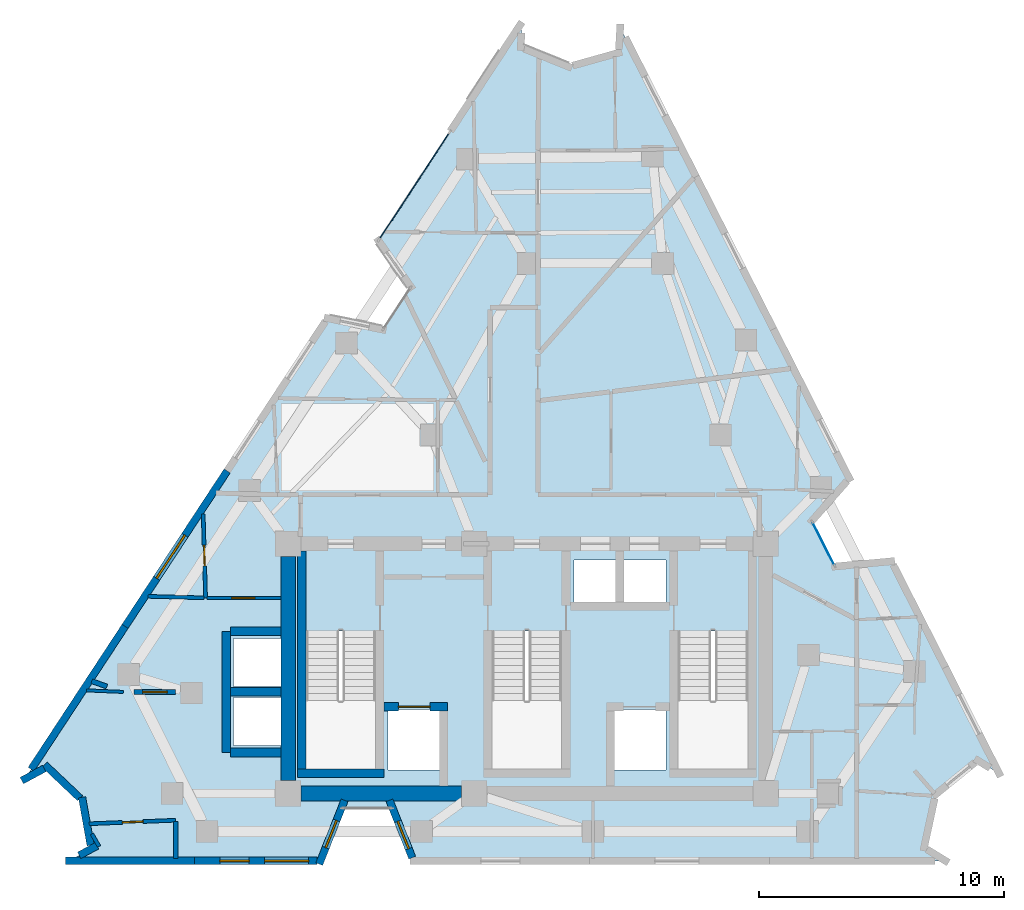
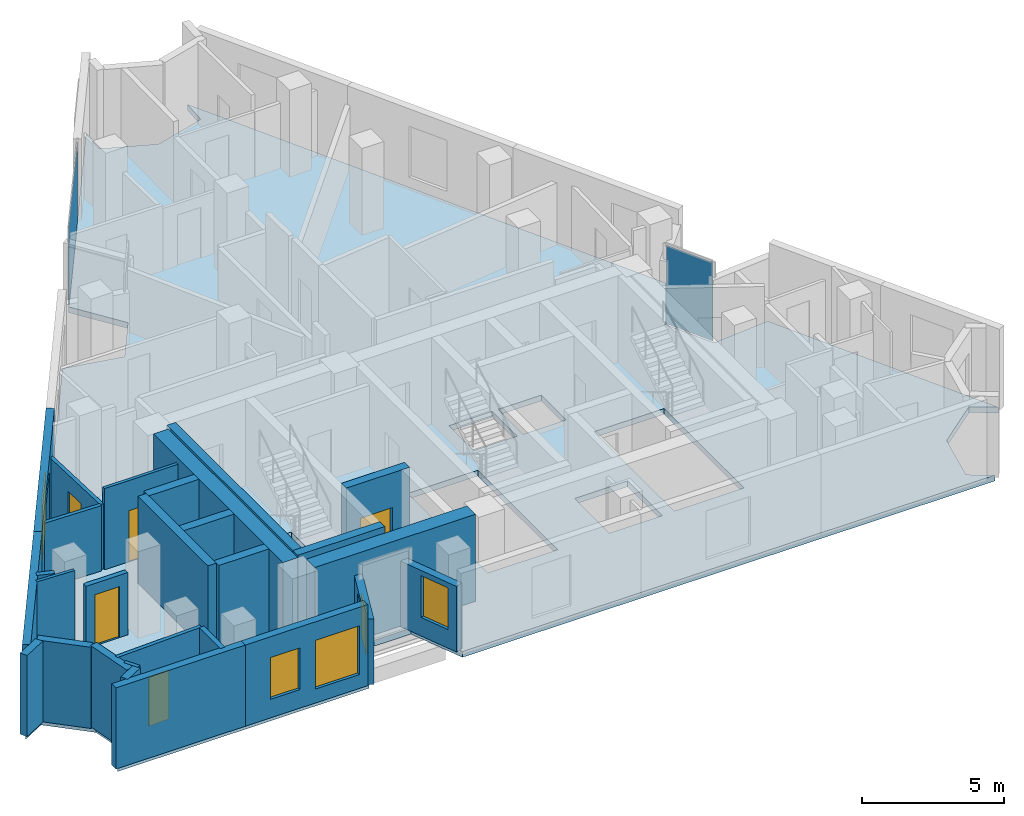
# One storey, part 5 of 10: 28 walls, 5 doors, 5 windows, 2 plates, 1 slab, 10 openings, 2 elements without a shape of their own.
"""IFC4 building model written with IfcOpenShell, lengths in metres."""

from ifc_helpers import new_model, si_unit, direction, frame, frame_2d, origin, origin_2d, place, context, subcontext, project, spatial, polyline, rectangle, outline, extrude, material, layer, layer_set, type_object, element, fill, aggregate, save


model = new_model("IFC4")

# Units and contexts
model_context = context("Model", 3, precision=1e-05, world=origin(), true_north=direction((0.0, 1.0)))
body_context = subcontext(model_context, "Body", "Model", "MODEL_VIEW")
ifc_project = project(units=[si_unit("LENGTHUNIT", "METRE"), si_unit("AREAUNIT", "SQUARE_METRE"), si_unit("VOLUMEUNIT", "CUBIC_METRE"), si_unit("PLANEANGLEUNIT", "RADIAN"), si_unit("MASSUNIT", "GRAM", prefix="KILO")], contexts=[model_context])

# Site, building, storey
site_placement = place(None, origin())
site = spatial("IfcSite", under=ifc_project, at=site_placement, CompositionType="ELEMENT")
building_placement = place(site_placement, origin())
building = spatial("IfcBuilding", under=site, at=building_placement, Name="Almagre Mirador Tower", CompositionType="ELEMENT")
storey_placement = place(building_placement, frame((0.0, 0.0, 233.25)))
storey = spatial("IfcBuildingStorey", under=building, at=storey_placement, Name="L60", CompositionType="ELEMENT", Elevation=233.25)

# Curtain wall, plate
ifc_material_1 = material(Name="Black anodized aluminium", Category="aluminium")
ifc_layer_1 = layer(ifc_material_1, 0.169921875)
ifc_layer_set_1 = layer_set([ifc_layer_1], Name="Black anodized aluminium")
curtain_wall_type_1 = type_object("IfcCurtainWallType", Name="CW-CRS-SYS", PredefinedType="NOTDEFINED", material=ifc_layer_set_1)
curtain_wall_1_placement = place(storey_placement, origin())
curtain_wall_1 = element("IfcCurtainWall", 1, at=curtain_wall_1_placement, inside=storey, type_object=curtain_wall_type_1, Name="L60 vertical crease curtain wall 03", PredefinedType="NOTDEFINED")
ifc_material_2 = material(Name="Dark solar-control laminated hurricane glass", Category="glass")
ifc_layer_2 = layer(ifc_material_2, 0.028076171875)
ifc_layer_set_2 = layer_set([ifc_layer_2], Name="Dark solar-control laminated hurricane glass")
plate_type_1 = type_object("IfcPlateType", Name="PLT-GLZ-28", PredefinedType="CURTAIN_PANEL", material=ifc_layer_set_2)
plate_1_placement = place(storey_placement, frame((49.409423828125, 14.75146484375, 0.06005859375), z_axis=(0.0, 0.0, 1.0), x_axis=(0.453137124227, -0.891440826217, 0.0)))
plate_1 = element("IfcPlate", 2, at=plate_1_placement, type_object=plate_type_1, Name="CW-4 panel 1.1", PredefinedType="CURTAIN_PANEL", context=body_context, shape_type="SweptSolid", body=[
    extrude(rectangle(XDim=1.969970703125, YDim=0.028076171875, at=origin_2d()), origin(), (0.0, 0.0, 1.0), 3.3798828125),
])
aggregate(curtain_wall_1, [plate_1])

ifc_material_3 = material(Name="Black anodized aluminium", Category="aluminium")
ifc_layer_3 = layer(ifc_material_3, 0.199951171875)
ifc_layer_set_3 = layer_set([ifc_layer_3], Name="Black anodized aluminium")
curtain_wall_type_2 = type_object("IfcCurtainWallType", Name="CW-RES-H-SYS", PredefinedType="NOTDEFINED", material=ifc_layer_set_3)
curtain_wall_2_placement = place(storey_placement, origin())
curtain_wall_2 = element("IfcCurtainWall", 3, at=curtain_wall_2_placement, inside=storey, type_object=curtain_wall_type_2, Name="L60 curtain wall run 02", PredefinedType="NOTDEFINED")
ifc_material_4 = material(Name="Dark solar-control laminated hurricane glass", Category="glass")
ifc_layer_4 = layer(ifc_material_4, 0.035888671875)
ifc_layer_set_4 = layer_set([ifc_layer_4], Name="Dark solar-control laminated hurricane glass")
plate_type_2 = type_object("IfcPlateType", Name="PLT-GLZ-36", PredefinedType="CURTAIN_PANEL", material=ifc_layer_set_4)
plate_2_placement = place(storey_placement, frame((32.70751953125, 29.36474609375, 0.06494140625), z_axis=(0.0, 0.0, 1.0), x_axis=(0.549067608552, 0.835777937756, 0.0)))
plate_2 = element("IfcPlate", 4, at=plate_2_placement, type_object=plate_type_2, Name="CW-3 panel 1.1", PredefinedType="CURTAIN_PANEL", context=body_context, shape_type="SweptSolid", body=[
    extrude(rectangle(XDim=5.208251953125, YDim=0.035888671875, at=origin_2d()), origin(), (0.0, 0.0, 1.0), 3.3701171875),
])
aggregate(curtain_wall_2, [plate_2])

# Slab
ifc_material_5 = material(Name="Concrete C45/55", Category="concrete")
ifc_layer_5 = layer(ifc_material_5, 0.25)
ifc_layer_set_5 = layer_set([ifc_layer_5], Name="Concrete C45/55")
slab_type = type_object("IfcSlabType", Name="SLB-FLR-250", PredefinedType="FLOOR", material=ifc_layer_set_5)
slab_placement = place(storey_placement, frame((0.0, 0.0, -0.25)))
element("IfcSlab", 5, at=slab_placement, inside=storey, type_object=slab_type, Name="L60 structural floor slab", PredefinedType="FLOOR", context=body_context, shape_type="SweptSolid", body=[
    extrude(outline(polyline([(16.7958984375, 5.14306640625), (17.70703125, 5.635009765625), (19.158935546875, 4.260009765625), (19.510986328125, 2.291015625), (18.60009765625, 1.800048828125), (28.8720703125, 1.800048828125), (29.72705078125, 3.949951171875), (31.81689453125, 3.949951171875), (32.672119140625, 1.800048828125), (54.39990234375, 1.800048828125), (53.51806640625, 2.341064453125), (53.985107421875, 4.509033203125), (55.7060546875, 5.907958984375), (56.587890625, 5.365966796875), (52.18701171875, 14.031005859375), (49.883056640625, 13.820068359375), (48.93603515625, 15.68310546875), (50.466064453125, 17.4189453125), (41.112060546875, 35.833984375), (41.053955078125, 34.800048828125), (39.011962890625, 34.22802734375), (37.0458984375, 35.02294921875), (37.10400390625, 36.056884765625), (31.241943359375, 27.134033203125), (32.570068359375, 25.239013671875), (31.422119140625, 23.491943359375), (29.156005859375, 23.9580078125), (16.7958984375, 5.14306640625)]), holes=[polyline([(43.47509765625, 5.550048828125), (43.47509765625, 11.196044921875), (46.324951171875, 11.196044921875), (46.324951171875, 5.550048828125), (43.47509765625, 5.550048828125)]), polyline([(41.219970703125, 12.320068359375), (41.219970703125, 14.080078125), (42.97998046875, 14.080078125), (42.97998046875, 12.320068359375), (41.219970703125, 12.320068359375)]), polyline([(42.97998046875, 5.52001953125), (40.820068359375, 5.52001953125), (40.820068359375, 7.97998046875), (42.97998046875, 7.97998046875), (42.97998046875, 5.52001953125)]), polyline([(39.219970703125, 12.320068359375), (39.219970703125, 14.080078125), (40.97998046875, 14.080078125), (40.97998046875, 12.320068359375), (39.219970703125, 12.320068359375)]), polyline([(35.875, 5.550048828125), (35.875, 11.196044921875), (38.72509765625, 11.196044921875), (38.72509765625, 5.550048828125), (35.875, 5.550048828125)]), polyline([(33.780029296875, 5.52001953125), (31.6201171875, 5.52001953125), (31.6201171875, 7.97998046875), (33.780029296875, 7.97998046875), (33.780029296875, 5.52001953125)]), polyline([(28.27490234375, 5.550048828125), (28.27490234375, 11.196044921875), (31.125, 11.196044921875), (31.125, 5.550048828125), (28.27490234375, 5.550048828125)]), polyline([(27.3798828125, 6.52001953125), (25.320068359375, 6.52001953125), (25.320068359375, 8.47998046875), (27.3798828125, 8.47998046875), (27.3798828125, 6.52001953125)]), polyline([(27.3798828125, 8.919921875), (25.320068359375, 8.919921875), (25.320068359375, 10.8798828125), (27.3798828125, 10.8798828125), (27.3798828125, 8.919921875)])]), origin(), (0.0, 0.0, 1.0), 0.25),
])

# Wall, opening, window
ifc_material_6 = material(Name="Precast concrete C50/60", Category="concrete")
ifc_layer_6 = layer(ifc_material_6, 0.300048828125)
ifc_layer_set_6 = layer_set([ifc_layer_6], Name="Precast concrete C50/60")
wall_type_1 = type_object("IfcWallType", Name="WAL-EXT-300", PredefinedType="SOLIDWALL", material=ifc_layer_set_6)
wall_1_placement = place(storey_placement, frame((32.6201171875, 1.93017578125, 0.0), z_axis=(0.0, 0.0, 1.0), x_axis=(-0.369453529453, 0.929249207465, 0.0)))
wall_1 = element("IfcWall", 6, at=wall_1_placement, inside=storey, type_object=wall_type_1, Name="L60 expressed almagre precast frame wall 22", PredefinedType="SOLIDWALL", context=body_context, shape_type="SweptSolid", body=[
    extrude(rectangle(XDim=2.521728515625, YDim=0.300048828125, at=frame_2d((1.2607421875, 0.0))), origin(), (0.0, 0.0, 1.0), 2.824951171875),
])
opening_1_placement = place(wall_1_placement, frame((0.39501953125, 0.0, 0.800048828125)))
opening_1 = element("IfcOpeningElement", 7, at=opening_1_placement, cuts=wall_1, Name="Opening WN-04", PredefinedType="OPENING", context=body_context, shape_type="SweptSolid", body=[
    extrude(rectangle(XDim=1.199951171875, YDim=1.800048828125, at=frame_2d((0.60009765625, 0.89990234375))), frame((0.0, 0.159902, 0.0), z_axis=(0.0, -1.0, 0.0), x_axis=(1.0, 0.0, 0.0)), (0.0, 0.0, 1.0), 0.320049),
])
ifc_material_7 = material(Name="Dark solar-control laminated hurricane glass", Category="glass")
window_type_1 = type_object("IfcWindowType", Name="WIN-1200X1800", PartitioningType="SINGLE_PANEL", PredefinedType="WINDOW", material=ifc_material_7)
window_1_placement = place(opening_1_placement, origin())
window_1 = element("IfcWindow", 8, at=window_1_placement, inside=storey, type_object=window_type_1, Name="L60 recessed hurricane window L60-UB-ST", OverallHeight=1.800048828125, OverallWidth=1.199951171875, PartitioningType="SINGLE_PANEL", PredefinedType="WINDOW", context=body_context, shape_type="SweptSolid", body=[
    extrude(rectangle(XDim=1.199951171875, YDim=1.800048828125, at=frame_2d((0.60009765625, 0.89990234375))), frame((0.0, 0.030029296875, 0.0), z_axis=(0.0, -1.0, 0.0), x_axis=(1.0, 0.0, 0.0)), (0.0, 0.0, 1.0), 0.06005859375),
])
fill(opening_1, window_1)

wall_2_placement = place(storey_placement, frame((29.855712890625, 4.2734375, 0.0), z_axis=(0.0, 0.0, 1.0), x_axis=(-0.369542065233, -0.929214002275, 0.0)))
wall_2 = element("IfcWall", 9, at=wall_2_placement, inside=storey, type_object=wall_type_1, Name="L60 expressed almagre precast frame wall 23", PredefinedType="SOLIDWALL", context=body_context, shape_type="SweptSolid", body=[
    extrude(rectangle(XDim=2.8017578125, YDim=0.300048828125, at=frame_2d((1.40087890625, 0.0))), origin(), (0.0, 0.0, 1.0), 2.824951171875),
])
opening_2_placement = place(wall_2_placement, frame((0.883056640625, 0.0, 0.800048828125)))
opening_2 = element("IfcOpeningElement", 10, at=opening_2_placement, cuts=wall_2, Name="Opening WN-04", PredefinedType="OPENING", context=body_context, shape_type="SweptSolid", body=[
    extrude(rectangle(XDim=1.199951171875, YDim=1.800048828125, at=frame_2d((0.60009765625, 0.89990234375))), frame((0.0, 0.159902, 0.0), z_axis=(0.0, -1.0, 0.0), x_axis=(1.0, 0.0, 0.0)), (0.0, 0.0, 1.0), 0.320049),
])
window_2_placement = place(opening_2_placement, origin())
window_2 = element("IfcWindow", 11, at=window_2_placement, inside=storey, type_object=window_type_1, Name="L60 recessed hurricane window L60-UB-ST", OverallHeight=1.800048828125, OverallWidth=1.199951171875, PartitioningType="SINGLE_PANEL", PredefinedType="WINDOW", context=body_context, shape_type="SweptSolid", body=[
    extrude(rectangle(XDim=1.199951171875, YDim=1.800048828125, at=frame_2d((0.60009765625, 0.89990234375))), frame((0.0, 0.030029296875, 0.0), z_axis=(0.0, -1.0, 0.0), x_axis=(1.0, 0.0, 0.0)), (0.0, 0.0, 1.0), 0.06005859375),
])
fill(opening_2, window_2)

# Wall, openings, windows
wall_3_placement = place(storey_placement, frame((28.73193359375, 1.800048828125, 0.0), z_axis=(0.0, 0.0, 1.0), x_axis=(-1.0, 0.0, 0.0)))
wall_3 = element("IfcWall", 12, at=wall_3_placement, inside=storey, type_object=wall_type_1, Name="L60 expressed almagre precast frame wall 24", PredefinedType="SOLIDWALL", context=body_context, shape_type="SweptSolid", body=[
    extrude(rectangle(XDim=4.995849609375, YDim=0.300048828125, at=frame_2d((2.498046875, 0.0))), origin(), (0.0, 0.0, 1.0), 3.5),
])
opening_3_placement = place(wall_3_placement, frame((0.344970703125, 0.0, 0.60009765625)))
opening_3 = element("IfcOpeningElement", 13, at=opening_3_placement, cuts=wall_3, Name="Opening WN-01", PredefinedType="OPENING", context=body_context, shape_type="SweptSolid", body=[
    extrude(rectangle(XDim=1.800048828125, YDim=2.10009765625, at=frame_2d((0.89990234375, 1.050048828125))), frame((0.0, 0.159902, 0.0), z_axis=(0.0, -1.0, 0.0), x_axis=(1.0, 0.0, 0.0)), (0.0, 0.0, 1.0), 0.320049),
])
opening_4_placement = place(wall_3_placement, frame((2.77001953125, 0.0, 0.800048828125)))
opening_4 = element("IfcOpeningElement", 14, at=opening_4_placement, cuts=wall_3, Name="Opening WN-04", PredefinedType="OPENING", context=body_context, shape_type="SweptSolid", body=[
    extrude(rectangle(XDim=1.199951171875, YDim=1.800048828125, at=frame_2d((0.60009765625, 0.89990234375))), frame((0.0, 0.159902, 0.0), z_axis=(0.0, -1.0, 0.0), x_axis=(1.0, 0.0, 0.0)), (0.0, 0.0, 1.0), 0.320049),
])
window_3_placement = place(opening_4_placement, origin())
window_3 = element("IfcWindow", 15, at=window_3_placement, inside=storey, type_object=window_type_1, Name="L60 recessed hurricane window L60-UB-BT", OverallHeight=1.800048828125, OverallWidth=1.199951171875, PartitioningType="SINGLE_PANEL", PredefinedType="WINDOW", context=body_context, shape_type="SweptSolid", body=[
    extrude(rectangle(XDim=1.199951171875, YDim=1.800048828125, at=frame_2d((0.60009765625, 0.89990234375))), frame((0.0, 0.030029296875, 0.0), z_axis=(0.0, -1.0, 0.0), x_axis=(1.0, 0.0, 0.0)), (0.0, 0.0, 1.0), 0.06005859375),
])
fill(opening_4, window_3)
ifc_material_8 = material(Name="Dark solar-control laminated hurricane glass", Category="glass")
window_type_2 = type_object("IfcWindowType", Name="WIN-1800X2100", PartitioningType="DOUBLE_PANEL_VERTICAL", PredefinedType="WINDOW", material=ifc_material_8)
window_4_placement = place(opening_3_placement, origin())
window_4 = element("IfcWindow", 16, at=window_4_placement, inside=storey, type_object=window_type_2, Name="L60 recessed hurricane window L60-UB-ST", OverallHeight=2.10009765625, OverallWidth=1.800048828125, PartitioningType="SINGLE_PANEL", PredefinedType="WINDOW", context=body_context, shape_type="SweptSolid", body=[
    extrude(rectangle(XDim=1.800048828125, YDim=2.10009765625, at=frame_2d((0.89990234375, 1.050048828125))), frame((0.0, 0.030029296875, 0.0), z_axis=(0.0, -1.0, 0.0), x_axis=(1.0, 0.0, 0.0)), (0.0, 0.0, 1.0), 0.06005859375),
])
fill(opening_3, window_4)

# Walls
wall_4_placement = place(storey_placement, frame((23.736083984375, 1.800048828125, 0.0), z_axis=(0.0, 0.0, 1.0), x_axis=(-1.0, 0.0, 0.0)))
element("IfcWall", 17, at=wall_4_placement, inside=storey, type_object=wall_type_1, Name="L60 expressed almagre precast frame wall 25", PredefinedType="SOLIDWALL", context=body_context, shape_type="SweptSolid", body=[
    extrude(rectangle(XDim=5.276123046875, YDim=0.300048828125, at=frame_2d((2.63818359375, 0.0))), origin(), (0.0, 0.0, 1.0), 3.5),
])
wall_5_placement = place(storey_placement, frame((19.018310546875, 2.025390625, 0.0), z_axis=(0.0, 0.0, 1.0), x_axis=(0.880196276444, 0.474609855496, 0.0)))
element("IfcWall", 18, at=wall_5_placement, inside=storey, type_object=wall_type_1, Name="L60 expressed almagre precast frame wall 26", PredefinedType="SOLIDWALL", context=body_context, shape_type="SweptSolid", body=[
    extrude(rectangle(XDim=0.82763671875, YDim=0.300048828125, at=frame_2d((0.413818359375, 0.0))), origin(), (0.0, 0.0, 1.0), 3.5),
])
wall_6_placement = place(storey_placement, frame((19.484619140625, 2.438720703125, 0.0), z_axis=(0.0, 0.0, 1.0), x_axis=(-0.175926512458, 0.984403302623, 0.0)))
element("IfcWall", 19, at=wall_6_placement, inside=storey, type_object=wall_type_1, Name="L60 expressed almagre precast frame wall 27", PredefinedType="SOLIDWALL", context=body_context, shape_type="SweptSolid", body=[
    extrude(rectangle(XDim=1.989990234375, YDim=0.300048828125, at=frame_2d((0.9951171875, 0.0))), origin(), (0.0, 0.0, 1.0), 3.5),
])
wall_7_placement = place(storey_placement, frame((19.0537109375, 4.359619140625, 0.0), z_axis=(0.0, 0.0, 1.0), x_axis=(-0.726119894398, 0.68756810496, 0.0)))
element("IfcWall", 20, at=wall_7_placement, inside=storey, type_object=wall_type_1, Name="L60 expressed almagre precast frame wall 28", PredefinedType="SOLIDWALL", context=body_context, shape_type="SweptSolid", body=[
    extrude(rectangle(XDim=1.994873046875, YDim=0.300048828125, at=frame_2d((0.99755859375, 0.0))), origin(), (0.0, 0.0, 1.0), 3.5),
])
wall_8_placement = place(storey_placement, frame((17.592529296875, 5.5732421875, 0.0), z_axis=(0.0, 0.0, 1.0), x_axis=(-0.879825313212, -0.475297189378, 0.0)))
element("IfcWall", 21, at=wall_8_placement, inside=storey, type_object=wall_type_1, Name="L60 expressed almagre precast frame wall 29", PredefinedType="SOLIDWALL", context=body_context, shape_type="SweptSolid", body=[
    extrude(rectangle(XDim=1.04541015625, YDim=0.300048828125, at=frame_2d((0.522705078125, 0.0))), origin(), (0.0, 0.0, 1.0), 3.5),
])
wall_9_placement = place(storey_placement, frame((17.056884765625, 5.5400390625, 0.0), z_axis=(0.0, 0.0, 1.0), x_axis=(0.549039031033, 0.83579671117, 0.0)))
element("IfcWall", 22, at=wall_9_placement, inside=storey, type_object=wall_type_1, Name="L60 expressed almagre precast frame wall 30", PredefinedType="SOLIDWALL", context=body_context, shape_type="SweptSolid", body=[
    extrude(rectangle(XDim=6.982177734375, YDim=0.300048828125, at=frame_2d((3.4912109375, 0.0))), origin(), (0.0, 0.0, 1.0), 3.5),
])

# Wall, opening, window
wall_10_placement = place(storey_placement, frame((20.890380859375, 11.375732421875, 0.0), z_axis=(0.0, 0.0, 1.0), x_axis=(0.549043857383, 0.835793540697, 0.0)))
wall_10 = element("IfcWall", 23, at=wall_10_placement, inside=storey, type_object=wall_type_1, Name="L60 expressed almagre precast frame wall 31", PredefinedType="SOLIDWALL", context=body_context, shape_type="SweptSolid", body=[
    extrude(rectangle(XDim=7.59716796875, YDim=0.300048828125, at=frame_2d((3.798583984375, 0.0))), origin(), (0.0, 0.0, 1.0), 3.5),
])
opening_5_placement = place(wall_10_placement, frame((2.35009765625, 0.0, 0.550048828125)))
opening_5 = element("IfcOpeningElement", 24, at=opening_5_placement, cuts=wall_10, Name="Opening WN-05", PredefinedType="OPENING", context=body_context, shape_type="SweptSolid", body=[
    extrude(rectangle(XDim=2.10009765625, YDim=2.39990234375, at=frame_2d((1.050048828125, 1.199951171875))), frame((0.0, 0.159902, 0.0), z_axis=(0.0, -1.0, 0.0), x_axis=(1.0, 0.0, 0.0)), (0.0, 0.0, 1.0), 0.320049),
])
ifc_material_9 = material(Name="Dark solar-control laminated hurricane glass", Category="glass")
window_type_3 = type_object("IfcWindowType", Name="WIN-2100X2400", PartitioningType="DOUBLE_PANEL_VERTICAL", PredefinedType="WINDOW", material=ifc_material_9)
window_5_placement = place(opening_5_placement, origin())
window_5 = element("IfcWindow", 25, at=window_5_placement, inside=storey, type_object=window_type_3, Name="L60 recessed hurricane window L60-UE-BT", OverallHeight=2.39990234375, OverallWidth=2.10009765625, PartitioningType="SINGLE_PANEL", PredefinedType="WINDOW", context=body_context, shape_type="SweptSolid", body=[
    extrude(rectangle(XDim=2.10009765625, YDim=2.39990234375, at=frame_2d((1.050048828125, 1.199951171875))), frame((0.0, 0.030029296875, 0.0), z_axis=(0.0, -1.0, 0.0), x_axis=(1.0, 0.0, 0.0)), (0.0, 0.0, 1.0), 0.06005859375),
])
fill(opening_5, window_5)

# Wall, opening, door
ifc_material_10 = material(Name="Gypsum acoustic stud partition", Category="other")
ifc_layer_7 = layer(ifc_material_10, 0.125)
ifc_layer_set_7 = layer_set([ifc_layer_7], Name="Gypsum acoustic stud partition")
wall_type_2 = type_object("IfcWallType", Name="WAL-PRT-125-UTL", PredefinedType="PARTITIONING", material=ifc_layer_set_7)
wall_11_placement = place(storey_placement, frame((24.239990234375, 12.5400390625, 0.0), z_axis=(0.0, 0.0, 1.0), x_axis=(1.0, 0.0, 0.0)))
wall_11 = element("IfcWall", 26, at=wall_11_placement, inside=storey, type_object=wall_type_2, Name="L60 interior partition 040", PredefinedType="PARTITIONING", context=body_context, shape_type="SweptSolid", body=[
    extrude(rectangle(XDim=3.010009765625, YDim=0.125, at=frame_2d((1.5048828125, 0.0))), origin(), (0.0, 0.0, 1.0), 3.5),
])
opening_6_placement = place(wall_11_placement, frame((1.0, 0.0, 0.0)))
opening_6 = element("IfcOpeningElement", 27, at=opening_6_placement, cuts=wall_11, Name="Opening UD-01", PredefinedType="OPENING", context=body_context, shape_type="SweptSolid", body=[
    extrude(rectangle(XDim=0.949951171875, YDim=2.199951171875, at=frame_2d((0.47509765625, 1.10009765625))), frame((0.0, 0.0725, 0.0), z_axis=(0.0, -1.0, 0.0), x_axis=(1.0, 0.0, 0.0)), (0.0, 0.0, 1.0), 0.145),
])
ifc_material_11 = material(Name="Solid American walnut timber", Category="wood")
door_type_1 = type_object("IfcDoorType", Name="DOR-UNR-950X2200", OperationType="NOTDEFINED", PredefinedType="DOOR", material=ifc_material_11)
door_1_placement = place(opening_6_placement, origin())
door_1 = element("IfcDoor", 28, at=door_1_placement, inside=storey, type_object=door_type_1, Name="DR-1846 L60 interior door L60-UE-ST to L60-UE-KT", OperationType="SINGLE_SWING_LEFT", OverallHeight=2.199951171875, OverallWidth=0.949951171875, PredefinedType="DOOR", context=body_context, shape_type="SweptSolid", body=[
    extrude(rectangle(XDim=0.949951171875, YDim=2.199951171875, at=frame_2d((0.47509765625, 1.10009765625))), frame((0.0, 0.02490234375, 0.0), z_axis=(0.0, -1.0, 0.0), x_axis=(1.0, 0.0, 0.0)), (0.0, 0.0, 1.0), 0.050048828125),
])
fill(opening_6, door_1)

# Wall
wall_12_placement = place(storey_placement, frame((20.820068359375, 8.699951171875, 0.0), z_axis=(0.0, 0.0, 1.0), x_axis=(-0.999125472924, 0.041812550205, 0.0)))
element("IfcWall", 29, at=wall_12_placement, inside=storey, type_object=wall_type_2, Name="L60 interior partition 067", PredefinedType="PARTITIONING", context=body_context, shape_type="SweptSolid", body=[
    extrude(rectangle(XDim=1.50634765625, YDim=0.125, at=frame_2d((0.753173828125, 0.0))), origin(), (0.0, 0.0, 1.0), 3.5),
])

# Wall, opening, door
ifc_material_12 = material(Name="Gypsum acoustic stud partition", Category="other")
ifc_layer_8 = layer(ifc_material_12, 0.14990234375)
ifc_layer_set_8 = layer_set([ifc_layer_8], Name="Gypsum acoustic stud partition")
wall_type_3 = type_object("IfcWallType", Name="WAL-PRT-150-STD", PredefinedType="PARTITIONING", material=ifc_layer_set_8)
wall_13_placement = place(storey_placement, frame((19.427978515625, 3.31591796875, 0.0), z_axis=(0.0, 0.0, 1.0), x_axis=(0.999169430966, 0.040748597793, 0.0)))
wall_13 = element("IfcWall", 30, at=wall_13_placement, inside=storey, type_object=wall_type_3, Name="L60 interior partition 015", PredefinedType="PARTITIONING", context=body_context, shape_type="SweptSolid", body=[
    extrude(rectangle(XDim=3.534912109375, YDim=0.14990234375, at=frame_2d((1.767578125, 0.0))), origin(), (0.0, 0.0, 1.0), 3.5),
])
opening_7_placement = place(wall_13_placement, frame((1.3525390625, 0.0, 0.0)))
opening_7 = element("IfcOpeningElement", 31, at=opening_7_placement, cuts=wall_13, Name="Opening UD-04", PredefinedType="OPENING", context=body_context, shape_type="SweptSolid", body=[
    extrude(rectangle(XDim=0.85009765625, YDim=2.10009765625, at=frame_2d((0.425048828125, 1.050048828125))), frame((0.0, 0.084951, 0.0), z_axis=(0.0, -1.0, 0.0), x_axis=(1.0, 0.0, 0.0)), (0.0, 0.0, 1.0), 0.169902),
])
ifc_material_13 = material(Name="Moisture-resistant oak timber", Category="wood")
door_type_2 = type_object("IfcDoorType", Name="DOR-UNR-850X2100", OperationType="NOTDEFINED", PredefinedType="DOOR", material=ifc_material_13)
door_2_placement = place(opening_7_placement, origin())
door_2 = element("IfcDoor", 32, at=door_2_placement, inside=storey, type_object=door_type_2, Name="DR-1840 L60 interior door L60-UA-ST to L60-UA-BT", OperationType="SINGLE_SWING_LEFT", OverallHeight=2.10009765625, OverallWidth=0.85009765625, PredefinedType="DOOR", context=body_context, shape_type="SweptSolid", body=[
    extrude(rectangle(XDim=0.85009765625, YDim=2.10009765625, at=frame_2d((0.425048828125, 1.050048828125))), frame((0.0, 0.02490234375, 0.0), z_axis=(0.0, -1.0, 0.0), x_axis=(1.0, 0.0, 0.0)), (0.0, 0.0, 1.0), 0.050048828125),
])
fill(opening_7, door_2)

wall_14_placement = place(storey_placement, frame((24.08203125, 15.968994140625, 0.0), z_axis=(0.0, 0.0, 1.0), x_axis=(0.02853945599, -0.999592666766, 0.0)))
wall_14 = element("IfcWall", 33, at=wall_14_placement, inside=storey, type_object=wall_type_3, Name="L60 interior partition 039", PredefinedType="PARTITIONING", context=body_context, shape_type="SweptSolid", body=[
    extrude(rectangle(XDim=3.430419921875, YDim=0.14990234375, at=frame_2d((1.71533203125, 0.0))), origin(), (0.0, 0.0, 1.0), 2.820068359375),
])
opening_8_placement = place(wall_14_placement, frame((1.2744140625, 0.0, 0.0)))
opening_8 = element("IfcOpeningElement", 34, at=opening_8_placement, cuts=wall_14, Name="Opening UD-04", PredefinedType="OPENING", context=body_context, shape_type="SweptSolid", body=[
    extrude(rectangle(XDim=0.85009765625, YDim=2.10009765625, at=frame_2d((0.425048828125, 1.050048828125))), frame((0.0, 0.084951, 0.0), z_axis=(0.0, -1.0, 0.0), x_axis=(1.0, 0.0, 0.0)), (0.0, 0.0, 1.0), 0.169902),
])
door_3_placement = place(opening_8_placement, origin())
door_3 = element("IfcDoor", 35, at=door_3_placement, inside=storey, type_object=door_type_2, Name="DR-1847 L60 interior door L60-UE-ST to L60-UE-BT", OperationType="SINGLE_SWING_RIGHT", OverallHeight=2.10009765625, OverallWidth=0.85009765625, PredefinedType="DOOR", context=body_context, shape_type="SweptSolid", body=[
    extrude(rectangle(XDim=0.85009765625, YDim=2.10009765625, at=frame_2d((0.425048828125, 1.050048828125))), frame((0.0, 0.02490234375, 0.0), z_axis=(0.0, -1.0, 0.0), x_axis=(1.0, 0.0, 0.0)), (0.0, 0.0, 1.0), 0.050048828125),
])
fill(opening_8, door_3)

# Walls
wall_15_placement = place(storey_placement, frame((21.8369140625, 12.60302734375, 0.0), z_axis=(0.0, 0.0, 1.0), x_axis=(0.999634267339, -0.027043142604, 0.0)))
element("IfcWall", 36, at=wall_15_placement, inside=storey, type_object=wall_type_3, Name="L60 interior partition 043", PredefinedType="PARTITIONING", context=body_context, shape_type="SweptSolid", body=[
    extrude(rectangle(XDim=2.283935546875, YDim=0.14990234375, at=frame_2d((1.14208984375, 0.0))), origin(), (0.0, 0.0, 1.0), 2.820068359375),
])
wall_16_placement = place(storey_placement, frame((19.535888671875, 2.902099609375, 0.0), z_axis=(0.0, 0.0, 1.0), x_axis=(0.501427298818, -0.865199782709, 0.0)))
element("IfcWall", 37, at=wall_16_placement, inside=storey, type_object=wall_type_3, Name="L60 interior partition 070", PredefinedType="PARTITIONING", context=body_context, shape_type="SweptSolid", body=[
    extrude(rectangle(XDim=0.590576171875, YDim=0.14990234375, at=frame_2d((0.29541015625, 0.0))), origin(), (0.0, 0.0, 1.0), 3.5),
])
ifc_material_14 = material(Name="Gypsum acoustic stud partition", Category="other")
ifc_layer_9 = layer(ifc_material_14, 0.199951171875)
ifc_layer_set_9 = layer_set([ifc_layer_9], Name="Gypsum acoustic stud partition")
wall_type_4 = type_object("IfcWallType", Name="WAL-PRT-200-EI60", PredefinedType="PARTITIONING", material=ifc_layer_set_9)
wall_17_placement = place(storey_placement, frame((20.14892578125, 8.924560546875, 0.0), z_axis=(0.0, 0.0, 1.0), x_axis=(-0.946606200233, 0.322392155117, 0.0)))
element("IfcWall", 38, at=wall_17_placement, inside=storey, type_object=wall_type_4, Name="L60 interior partition 017", PredefinedType="PARTITIONING", context=body_context, shape_type="SweptSolid", body=[
    extrude(rectangle(XDim=0.65283203125, YDim=0.199951171875, at=frame_2d((0.326416015625, 0.0))), origin(), (0.0, 0.0, 1.0), 3.5),
])

# Wall, opening, door
wall_18_placement = place(storey_placement, frame((22.9599609375, 8.699951171875, 0.0), z_axis=(0.0, 0.0, 1.0), x_axis=(-1.0, 0.0, 0.0)))
wall_18 = element("IfcWall", 39, at=wall_18_placement, inside=storey, type_object=wall_type_4, Name="L60 interior partition 018", PredefinedType="PARTITIONING", context=body_context, shape_type="SweptSolid", body=[
    extrude(rectangle(XDim=1.699951171875, YDim=0.199951171875, at=frame_2d((0.85009765625, 0.0))), origin(), (0.0, 0.0, 1.0), 2.68505859375),
])
opening_9_placement = place(wall_18_placement, frame((0.35009765625, 0.0, 0.0)))
opening_9 = element("IfcOpeningElement", 40, at=opening_9_placement, cuts=wall_18, Name="Opening ID-01", PredefinedType="OPENING", context=body_context, shape_type="SweptSolid", body=[
    extrude(rectangle(XDim=1.0, YDim=2.199951171875, at=frame_2d((0.5, 1.10009765625))), frame((0.0, 0.110098, 0.0), z_axis=(0.0, -1.0, 0.0), x_axis=(1.0, 0.0, 0.0)), (0.0, 0.0, 1.0), 0.219951),
])
ifc_material_15 = material(Name="Fire-rated walnut timber", Category="wood")
door_type_3 = type_object("IfcDoorType", Name="DOR-FD60-1000X2200", OperationType="NOTDEFINED", PredefinedType="DOOR", material=ifc_material_15)
door_4_placement = place(opening_9_placement, origin())
door_4 = element("IfcDoor", 41, at=door_4_placement, inside=storey, type_object=door_type_3, Name="DR-1861 L60 interior door L60-UA-ST to L60-UE-KT", OperationType="SINGLE_SWING_RIGHT", OverallHeight=2.199951171875, OverallWidth=1.0, PredefinedType="DOOR", context=body_context, shape_type="SweptSolid", body=[
    extrude(rectangle(XDim=1.0, YDim=2.199951171875, at=frame_2d((0.5, 1.10009765625))), frame((0.0, 0.02490234375, 0.0), z_axis=(0.0, -1.0, 0.0), x_axis=(1.0, 0.0, 0.0)), (0.0, 0.0, 1.0), 0.050048828125),
])
fill(opening_9, door_4)

# Walls
wall_19_placement = place(storey_placement, frame((22.9599609375, 1.89990234375, 0.0), z_axis=(0.0, 0.0, 1.0), x_axis=(0.0, 1.0, 0.0)))
element("IfcWall", 42, at=wall_19_placement, inside=storey, type_object=wall_type_4, Name="L60 interior partition 020", PredefinedType="PARTITIONING", context=body_context, shape_type="SweptSolid", body=[
    extrude(rectangle(XDim=1.5, YDim=0.199951171875, at=frame_2d((0.75, 0.0))), origin(), (0.0, 0.0, 1.0), 3.5),
])
ifc_material_16 = material(Name="Concrete C60/75", Category="concrete")
ifc_layer_10 = layer(ifc_material_16, 0.35009765625)
ifc_layer_set_10 = layer_set([ifc_layer_10], Name="Concrete C60/75")
wall_type_5 = type_object("IfcWallType", Name="WAL-SHF-350", PredefinedType="SOLIDWALL", material=ifc_layer_set_10)
wall_20_placement = place(storey_placement, frame((28.10009765625, 5.199951171875, 0.0), z_axis=(0.0, 0.0, 1.0), x_axis=(0.0, 1.0, 0.0)))
element("IfcWall", 43, at=wall_20_placement, inside=storey, type_object=wall_type_5, Name="L60 shaft wall ST1-W", PredefinedType="SOLIDWALL", context=body_context, shape_type="SweptSolid", body=[
    extrude(rectangle(XDim=9.25, YDim=0.35009765625, at=frame_2d((4.625, 0.0))), origin(), (0.0, 0.0, 1.0), 3.75),
])
wall_21_placement = place(storey_placement, frame((27.925048828125, 5.375, 0.0), z_axis=(0.0, 0.0, 1.0), x_axis=(1.0, 0.0, 0.0)))
element("IfcWall", 44, at=wall_21_placement, inside=storey, type_object=wall_type_5, Name="L60 shaft wall ST1-S", PredefinedType="SOLIDWALL", context=body_context, shape_type="SweptSolid", body=[
    extrude(rectangle(XDim=3.550048828125, YDim=0.35009765625, at=frame_2d((1.77490234375, 0.0))), origin(), (0.0, 0.0, 1.0), 3.75),
])

# Wall, opening, door
wall_22_placement = place(storey_placement, frame((31.47509765625, 8.10009765625, 0.0), z_axis=(0.0, 0.0, 1.0), x_axis=(1.0, 0.0, 0.0)))
wall_22 = element("IfcWall", 45, at=wall_22_placement, inside=storey, type_object=wall_type_5, Name="L60 shaft wall FSAE1-N", PredefinedType="SOLIDWALL", context=body_context, shape_type="SweptSolid", body=[
    extrude(rectangle(XDim=2.574951171875, YDim=0.35009765625, at=frame_2d((1.28759765625, 0.0))), origin(), (0.0, 0.0, 1.0), 3.75),
])
opening_10_placement = place(wall_22_placement, frame((0.574951171875, 0.0, 0.0)))
opening_10 = element("IfcOpeningElement", 46, at=opening_10_placement, cuts=wall_22, Name="Opening LD-03", PredefinedType="OPENING", context=body_context, shape_type="SweptSolid", body=[
    extrude(rectangle(XDim=1.300048828125, YDim=2.25, at=frame_2d((0.64990234375, 1.125))), frame((0.0, 0.185049, 0.0), z_axis=(0.0, -1.0, 0.0), x_axis=(1.0, 0.0, 0.0)), (0.0, 0.0, 1.0), 0.370098),
])
ifc_material_17 = material(Name="Hollow stainless steel", Category="steel")
door_type_4 = type_object("IfcDoorType", Name="DOR-LD-1300X2250", OperationType="DOUBLE_DOOR_SLIDING", PredefinedType="DOOR", material=ifc_material_17)
door_5_placement = place(opening_10_placement, origin())
door_5 = element("IfcDoor", 47, at=door_5_placement, inside=storey, type_object=door_type_4, Name="DR-1866 L60 FSAE-1 lift landing door", OperationType="DOUBLE_DOOR_SLIDING", OverallHeight=2.25, OverallWidth=1.300048828125, PredefinedType="DOOR", context=body_context, shape_type="SweptSolid", body=[
    extrude(rectangle(XDim=1.300048828125, YDim=2.25, at=frame_2d((0.64990234375, 1.125))), frame((0.0, 0.02490234375, 0.0), z_axis=(0.0, -1.0, 0.0), x_axis=(1.0, 0.0, 0.0)), (0.0, 0.0, 1.0), 0.050048828125),
])
fill(opening_10, door_5)

# Walls
wall_23_placement = place(storey_placement, frame((25.02490234375, 6.22509765625, 0.0), z_axis=(0.0, 0.0, 1.0), x_axis=(0.0, 1.0, 0.0)))
element("IfcWall", 48, at=wall_23_placement, inside=storey, type_object=wall_type_5, Name="L60 shaft wall OL-W", PredefinedType="SOLIDWALL", context=body_context, shape_type="SweptSolid", body=[
    extrude(rectangle(XDim=4.949951171875, YDim=0.35009765625, at=frame_2d((2.47509765625, 0.0))), origin(), (0.0, 0.0, 1.0), 3.75),
])
for number, where, z_axis, x_axis, name in (
    (49, (25.199951171875, 6.22509765625, 0.0), (0.0, 0.0, 1.0), (1.0, 0.0, 0.0), "L60 shaft wall OL-S"),
    (50, (25.199951171875, 8.699951171875, 0.0), (0.0, 0.0, 1.0), (1.0, 0.0, 0.0), "L60 shaft wall OL-M"),
    (51, (25.199951171875, 11.175048828125, 0.0), (0.0, 0.0, 1.0), (1.0, 0.0, 0.0), "L60 shaft wall OL-N"),
):
    element("IfcWall", number, at=place(storey_placement, frame(where, z_axis=z_axis, x_axis=x_axis)), inside=storey, type_object=wall_type_5, Name=name, PredefinedType="SOLIDWALL", context=body_context, shape_type="SweptSolid", body=[
        extrude(rectangle(XDim=2.050048828125, YDim=0.35009765625, at=frame_2d((1.02490234375, 0.0))), origin(), (0.0, 0.0, 1.0), 3.75),
    ])
ifc_material_18 = material(Name="Concrete C60/75", Category="concrete")
ifc_layer_11 = layer(ifc_material_18, 0.60009765625)
ifc_layer_set_11 = layer_set([ifc_layer_11], Name="Concrete C60/75")
wall_type_6 = type_object("IfcWallType", Name="WAL-SHR-600", PredefinedType="SHEAR", material=ifc_layer_set_11)
wall_24_placement = place(storey_placement, frame((28.074951171875, 4.550048828125, 0.0), z_axis=(0.0, 0.0, 1.0), x_axis=(1.0, 0.0, 0.0)))
element("IfcWall", 52, at=wall_24_placement, inside=storey, type_object=wall_type_6, Name="L60 core shear wall S1", PredefinedType="SHEAR", context=body_context, shape_type="SweptSolid", body=[
    extrude(rectangle(XDim=6.550048828125, YDim=0.60009765625, at=frame_2d((3.27490234375, 0.0))), origin(), (0.0, 0.0, 1.0), 3.75),
])
wall_25_placement = place(storey_placement, frame((27.550048828125, 5.074951171875, 0.0), z_axis=(0.0, 0.0, 1.0), x_axis=(0.0, 1.0, 0.0)))
element("IfcWall", 53, at=wall_25_placement, inside=storey, type_object=wall_type_6, Name="L60 core shear wall W1", PredefinedType="SHEAR", context=body_context, shape_type="SweptSolid", body=[
    extrude(rectangle(XDim=9.150146484375, YDim=0.60009765625, at=frame_2d((4.5751953125, 0.0))), origin(), (0.0, 0.0, 1.0), 3.75),
])

save(model, "model.ifc")
